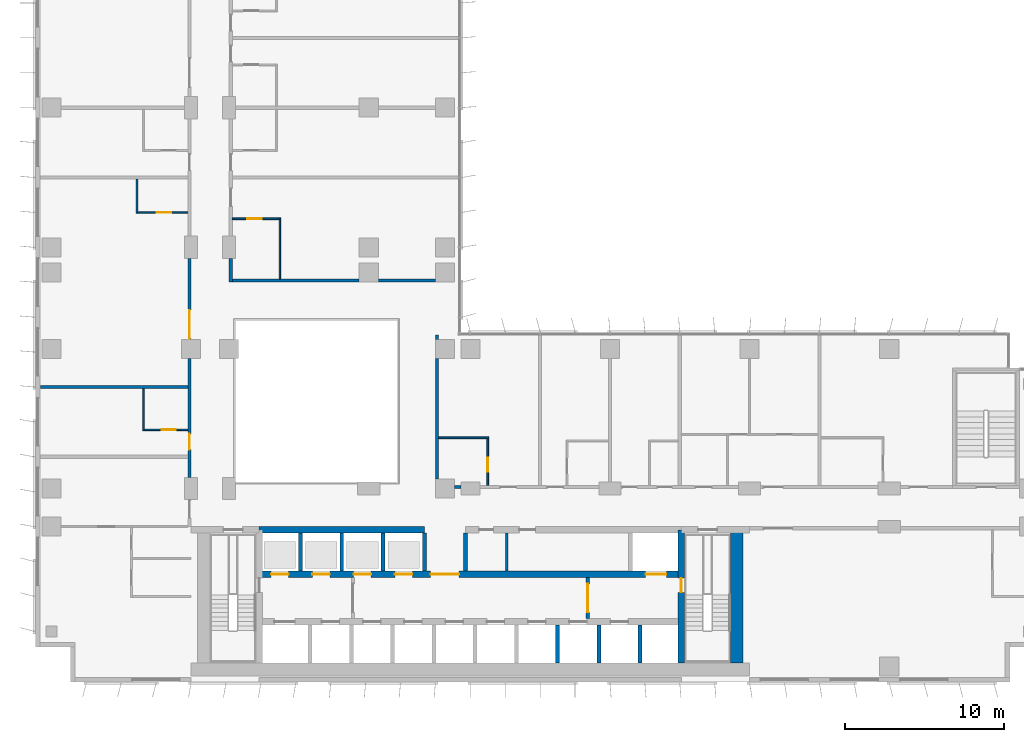
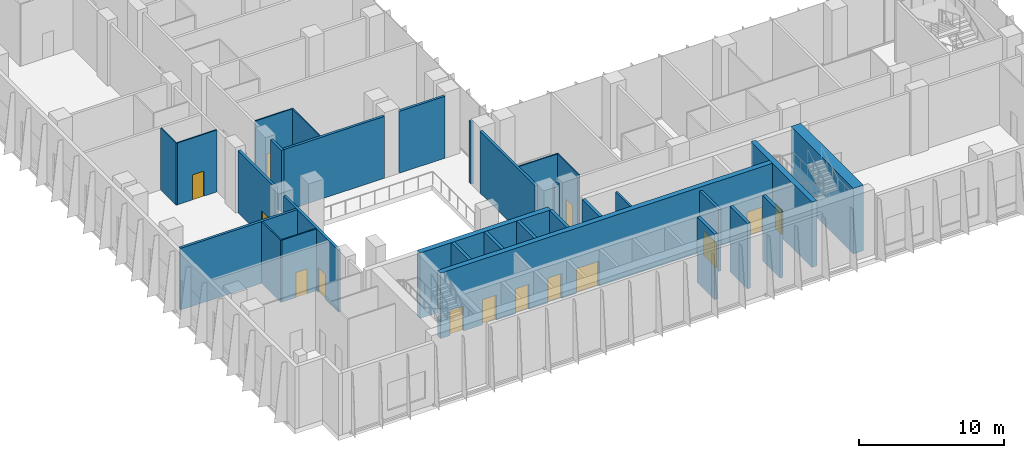
# One storey, part 13 of 26: 31 walls, 14 doors, 14 openings.
"""IFC4 building model written with IfcOpenShell, lengths in metres."""

from ifc_helpers import new_model, si_unit, direction, frame, frame_2d, origin, place, context, subcontext, project, spatial, rectangle, extrude, material, layer, layer_set, type_object, element, fill, save


model = new_model("IFC4")

# Units and contexts
model_context = context("Model", 3, precision=1e-05, world=origin(), true_north=direction((0.0, 1.0)))
body_context = subcontext(model_context, "Body", "Model", "MODEL_VIEW")
ifc_project = project(units=[si_unit("LENGTHUNIT", "METRE"), si_unit("AREAUNIT", "SQUARE_METRE"), si_unit("VOLUMEUNIT", "CUBIC_METRE"), si_unit("PLANEANGLEUNIT", "RADIAN"), si_unit("MASSUNIT", "GRAM", prefix="KILO")], contexts=[model_context])

# Site, building, storey
site_placement = place(None, origin())
site = spatial("IfcSite", under=ifc_project, at=site_placement, CompositionType="ELEMENT")
building_placement = place(site_placement, origin())
building = spatial("IfcBuilding", under=site, at=building_placement, Name="Kemantara Hotel Tower", CompositionType="ELEMENT")
storey_placement = place(building_placement, frame((0.0, 0.0, 101.89990234375)))
storey = spatial("IfcBuildingStorey", under=building, at=storey_placement, Name="L24", CompositionType="ELEMENT", Elevation=101.89990234375)

# Walls
ifc_material_1 = material(Name="Concrete fc 70 MPa", Category="concrete")
ifc_layer_1 = layer(ifc_material_1, 0.25)
ifc_layer_set_1 = layer_set([ifc_layer_1], Name="Concrete fc 70 MPa")
wall_type_1 = type_object("IfcWallType", Name="CORE WALL 250 FC70", PredefinedType="SHEAR", material=ifc_layer_set_1)
for number, where, z_axis, x_axis, name in (
    (1, (32.89990234375, 1.199951171875, 0.0), (0.0, 0.0, 1.0), (0.0, 1.0, 0.0), "CORE WALL CW-DS32.9"),
    (2, (35.5, 1.199951171875, 0.0), (0.0, 0.0, 1.0), (0.0, 1.0, 0.0), "CORE WALL CW-DS35.5"),
    (3, (38.10009765625, 1.199951171875, 0.0), (0.0, 0.0, 1.0), (0.0, 1.0, 0.0), "CORE WALL CW-DS38.1"),
):
    element("IfcWall", number, at=place(storey_placement, frame(where, z_axis=z_axis, x_axis=x_axis)), inside=storey, type_object=wall_type_1, Name=name, PredefinedType="SHEAR", context=body_context, shape_type="SweptSolid", body=[
        extrude(rectangle(XDim=2.400146484375, YDim=0.25, at=frame_2d((1.2001953125, 0.0))), origin(), (0.0, 0.0, 1.0), 5.5),
    ])
for number, where, z_axis, x_axis, name in (
    (4, (16.699951171875, 7.0, 0.0), (0.0, 0.0, 1.0), (0.0, 1.0, 0.0), "CORE WALL CW-DN16.7"),
    (5, (19.300048828125, 7.0, 0.0), (0.0, 0.0, 1.0), (0.0, 1.0, 0.0), "CORE WALL CW-DN19.3"),
    (6, (21.89990234375, 7.0, 0.0), (0.0, 0.0, 1.0), (0.0, 1.0, 0.0), "CORE WALL CW-DN21.9"),
    (7, (24.5, 7.0, 0.0), (0.0, 0.0, 1.0), (0.0, 1.0, 0.0), "CORE WALL CW-DN24.5"),
    (8, (27.10009765625, 7.0, 0.0), (0.0, 0.0, 1.0), (0.0, 1.0, 0.0), "CORE WALL CW-DN27.1"),
):
    element("IfcWall", number, at=place(storey_placement, frame(where, z_axis=z_axis, x_axis=x_axis)), inside=storey, type_object=wall_type_1, Name=name, PredefinedType="SHEAR", context=body_context, shape_type="SweptSolid", body=[
        extrude(rectangle(XDim=2.39990234375, YDim=0.25, at=frame_2d((1.199951171875, 0.0))), origin(), (0.0, 0.0, 1.0), 5.5),
    ])
ifc_layer_2 = layer(ifc_material_1, 0.39990234375)
ifc_layer_set_2 = layer_set([ifc_layer_2], Name="Concrete fc 70 MPa")
wall_type_2 = type_object("IfcWallType", Name="CORE WALL 400 FC70", PredefinedType="SHEAR", material=ifc_layer_set_2)
wall_1_placement = place(storey_placement, frame((14.10009765625, 9.60009765625, 0.0), z_axis=(0.0, 0.0, 1.0), x_axis=(1.0, 0.0, 0.0)))
element("IfcWall", 9, at=wall_1_placement, inside=storey, type_object=wall_type_2, Name="CORE WALL CW-NN1", PredefinedType="SHEAR", context=body_context, shape_type="SweptSolid", body=[
    extrude(rectangle(XDim=10.39990234375, YDim=0.39990234375, at=frame_2d((5.199951171875, 0.0))), origin(), (0.0, 0.0, 1.0), 5.5),
])

# Wall, openings, doors
wall_2_placement = place(storey_placement, frame((14.10009765625, 6.800048828125, 0.0), z_axis=(0.0, 0.0, 1.0), x_axis=(1.0, 0.0, 0.0)))
wall_2 = element("IfcWall", 10, at=wall_2_placement, inside=storey, type_object=wall_type_2, Name="CORE WALL CW-L2", PredefinedType="SHEAR", context=body_context, shape_type="SweptSolid", body=[
    extrude(rectangle(XDim=26.599853515625, YDim=0.39990234375, at=frame_2d((13.2998046875, 0.0))), origin(), (0.0, 0.0, 1.0), 5.5),
])
opening_1_placement = place(wall_2_placement, frame((10.800048828125, 0.0, 0.0)))
opening_1 = element("IfcOpeningElement", 11, at=opening_1_placement, cuts=wall_2, Name="Opening C17-VL", PredefinedType="OPENING", context=body_context, shape_type="SweptSolid", body=[
    extrude(rectangle(XDim=1.800048828125, YDim=2.10009765625, at=frame_2d((0.89990234375, 1.050048828125))), frame((0.0, 0.2099609375, 0.0), z_axis=(0.0, -1.0, 0.0), x_axis=(1.0, 0.0, 0.0)), (0.0, 0.0, 1.0), 0.419921875),
])
opening_2_placement = place(wall_2_placement, frame((0.75, 0.0, 0.0)))
opening_2 = element("IfcOpeningElement", 12, at=opening_2_placement, cuts=wall_2, Name="Opening C17-LD-MR1", PredefinedType="OPENING", context=body_context, shape_type="SweptSolid", body=[
    extrude(rectangle(XDim=1.10009765625, YDim=2.10009765625, at=frame_2d((0.550048828125, 1.050048828125))), frame((0.0, 0.2099609375, 0.0), z_axis=(0.0, -1.0, 0.0), x_axis=(1.0, 0.0, 0.0)), (0.0, 0.0, 1.0), 0.419921875),
])
opening_3_placement = place(wall_2_placement, frame((3.35009765625, 0.0, 0.0)))
opening_3 = element("IfcOpeningElement", 13, at=opening_3_placement, cuts=wall_2, Name="Opening C17-LD-MR2", PredefinedType="OPENING", context=body_context, shape_type="SweptSolid", body=[
    extrude(rectangle(XDim=1.10009765625, YDim=2.10009765625, at=frame_2d((0.550048828125, 1.050048828125))), frame((0.0, 0.2099609375, 0.0), z_axis=(0.0, -1.0, 0.0), x_axis=(1.0, 0.0, 0.0)), (0.0, 0.0, 1.0), 0.419921875),
])
opening_4_placement = place(wall_2_placement, frame((5.949951171875, 0.0, 0.0)))
opening_4 = element("IfcOpeningElement", 14, at=opening_4_placement, cuts=wall_2, Name="Opening C17-LD-MR3", PredefinedType="OPENING", context=body_context, shape_type="SweptSolid", body=[
    extrude(rectangle(XDim=1.10009765625, YDim=2.10009765625, at=frame_2d((0.550048828125, 1.050048828125))), frame((0.0, 0.2099609375, 0.0), z_axis=(0.0, -1.0, 0.0), x_axis=(1.0, 0.0, 0.0)), (0.0, 0.0, 1.0), 0.419921875),
])
opening_5_placement = place(wall_2_placement, frame((8.550048828125, 0.0, 0.0)))
opening_5 = element("IfcOpeningElement", 15, at=opening_5_placement, cuts=wall_2, Name="Opening C17-LD-MR4", PredefinedType="OPENING", context=body_context, shape_type="SweptSolid", body=[
    extrude(rectangle(XDim=1.10009765625, YDim=2.10009765625, at=frame_2d((0.550048828125, 1.050048828125))), frame((0.0, 0.2099609375, 0.0), z_axis=(0.0, -1.0, 0.0), x_axis=(1.0, 0.0, 0.0)), (0.0, 0.0, 1.0), 0.419921875),
])
opening_6_placement = place(wall_2_placement, frame((24.35009765625, 0.0, 0.0)))
opening_6 = element("IfcOpeningElement", 16, at=opening_6_placement, cuts=wall_2, Name="Opening C17-LD-FF2", PredefinedType="OPENING", context=body_context, shape_type="SweptSolid", body=[
    extrude(rectangle(XDim=1.300048828125, YDim=2.10009765625, at=frame_2d((0.64990234375, 1.050048828125))), frame((0.0, 0.2099609375, 0.0), z_axis=(0.0, -1.0, 0.0), x_axis=(1.0, 0.0, 0.0)), (0.0, 0.0, 1.0), 0.419921875),
])
ifc_material_2 = material(Name="Steel fire door", Category="steel")
door_type_1 = type_object("IfcDoorType", Name="Fire door pair FD60 1800 x 2100", OperationType="DOUBLE_DOOR_SINGLE_SWING", PredefinedType="DOOR", material=ifc_material_2)
door_1_placement = place(opening_1_placement, frame((1.800048828125, 0.0, 0.0), z_axis=(0.0, 0.0, 1.0), x_axis=(-1.0, 0.0, 0.0)))
door_1 = element("IfcDoor", 17, at=door_1_placement, inside=storey, type_object=door_type_1, Name="Lift lobby entry door", OperationType="DOUBLE_DOOR_SINGLE_SWING", OverallHeight=2.10009765625, OverallWidth=1.800048828125, PredefinedType="DOOR", context=body_context, shape_type="SweptSolid", body=[
    extrude(rectangle(XDim=1.800048828125, YDim=2.10009765625, at=frame_2d((0.89990234375, 1.050048828125))), frame((0.0, 0.02490234375, 0.0), z_axis=(0.0, -1.0, 0.0), x_axis=(1.0, 0.0, 0.0)), (0.0, 0.0, 1.0), 0.050048828125),
])
fill(opening_1, door_1)
ifc_material_3 = material(Name="Stainless steel lift door", Category="steel")
door_type_2 = type_object("IfcDoorType", Name="Lift landing door 1100 x 2100 FD60", OperationType="DOUBLE_DOOR_SLIDING", PredefinedType="DOOR", material=ifc_material_3)
door_2_placement = place(opening_2_placement, origin())
door_2 = element("IfcDoor", 18, at=door_2_placement, inside=storey, type_object=door_type_2, Name="Lift MR1 landing door", OperationType="DOUBLE_DOOR_SLIDING", OverallHeight=2.10009765625, OverallWidth=1.10009765625, PredefinedType="DOOR", context=body_context, shape_type="SweptSolid", body=[
    extrude(rectangle(XDim=1.10009765625, YDim=2.10009765625, at=frame_2d((0.550048828125, 1.050048828125))), frame((0.0, 0.02490234375, 0.0), z_axis=(0.0, -1.0, 0.0), x_axis=(1.0, 0.0, 0.0)), (0.0, 0.0, 1.0), 0.050048828125),
])
fill(opening_2, door_2)
door_3_placement = place(opening_3_placement, origin())
door_3 = element("IfcDoor", 19, at=door_3_placement, inside=storey, type_object=door_type_2, Name="Lift MR2 landing door", OperationType="DOUBLE_DOOR_SLIDING", OverallHeight=2.10009765625, OverallWidth=1.10009765625, PredefinedType="DOOR", context=body_context, shape_type="SweptSolid", body=[
    extrude(rectangle(XDim=1.10009765625, YDim=2.10009765625, at=frame_2d((0.550048828125, 1.050048828125))), frame((0.0, 0.02490234375, 0.0), z_axis=(0.0, -1.0, 0.0), x_axis=(1.0, 0.0, 0.0)), (0.0, 0.0, 1.0), 0.050048828125),
])
fill(opening_3, door_3)
door_4_placement = place(opening_4_placement, origin())
door_4 = element("IfcDoor", 20, at=door_4_placement, inside=storey, type_object=door_type_2, Name="Lift MR3 landing door", OperationType="DOUBLE_DOOR_SLIDING", OverallHeight=2.10009765625, OverallWidth=1.10009765625, PredefinedType="DOOR", context=body_context, shape_type="SweptSolid", body=[
    extrude(rectangle(XDim=1.10009765625, YDim=2.10009765625, at=frame_2d((0.550048828125, 1.050048828125))), frame((0.0, 0.02490234375, 0.0), z_axis=(0.0, -1.0, 0.0), x_axis=(1.0, 0.0, 0.0)), (0.0, 0.0, 1.0), 0.050048828125),
])
fill(opening_4, door_4)
door_5_placement = place(opening_5_placement, origin())
door_5 = element("IfcDoor", 21, at=door_5_placement, inside=storey, type_object=door_type_2, Name="Lift MR4 landing door", OperationType="DOUBLE_DOOR_SLIDING", OverallHeight=2.10009765625, OverallWidth=1.10009765625, PredefinedType="DOOR", context=body_context, shape_type="SweptSolid", body=[
    extrude(rectangle(XDim=1.10009765625, YDim=2.10009765625, at=frame_2d((0.550048828125, 1.050048828125))), frame((0.0, 0.02490234375, 0.0), z_axis=(0.0, -1.0, 0.0), x_axis=(1.0, 0.0, 0.0)), (0.0, 0.0, 1.0), 0.050048828125),
])
fill(opening_5, door_5)
door_type_3 = type_object("IfcDoorType", Name="Lift landing door 1300 x 2100 FD90", OperationType="DOUBLE_DOOR_SLIDING", PredefinedType="DOOR", material=ifc_material_3)
door_6_placement = place(opening_6_placement, origin())
door_6 = element("IfcDoor", 22, at=door_6_placement, inside=storey, type_object=door_type_3, Name="Lift FF2 landing door", OperationType="DOUBLE_DOOR_SLIDING", OverallHeight=2.10009765625, OverallWidth=1.300048828125, PredefinedType="DOOR", context=body_context, shape_type="SweptSolid", body=[
    extrude(rectangle(XDim=1.300048828125, YDim=2.10009765625, at=frame_2d((0.64990234375, 1.050048828125))), frame((0.0, 0.02490234375, 0.0), z_axis=(0.0, -1.0, 0.0), x_axis=(1.0, 0.0, 0.0)), (0.0, 0.0, 1.0), 0.050048828125),
])
fill(opening_6, door_6)

# Wall, opening, door
wall_3_placement = place(storey_placement, frame((40.699951171875, 1.199951171875, 0.0), z_axis=(0.0, 0.0, 1.0), x_axis=(0.0, 1.0, 0.0)))
wall_3 = element("IfcWall", 23, at=wall_3_placement, inside=storey, type_object=wall_type_2, Name="CORE WALL CW-ST2W", PredefinedType="SHEAR", context=body_context, shape_type="SweptSolid", body=[
    extrude(rectangle(XDim=8.400146484375, YDim=0.39990234375, at=frame_2d((4.2001953125, 0.0))), origin(), (0.0, 0.0, 1.0), 5.5),
])
opening_7_placement = place(wall_3_placement, frame((4.449951171875, 0.0, 0.0)))
opening_7 = element("IfcOpeningElement", 24, at=opening_7_placement, cuts=wall_3, Name="Opening C17-ST2-F", PredefinedType="OPENING", context=body_context, shape_type="SweptSolid", body=[
    extrude(rectangle(XDim=0.89990234375, YDim=2.10009765625, at=frame_2d((0.449951171875, 1.050048828125))), frame((0.0, 0.2099609375, 0.0), z_axis=(0.0, -1.0, 0.0), x_axis=(1.0, 0.0, 0.0)), (0.0, 0.0, 1.0), 0.419921875),
])
door_type_4 = type_object("IfcDoorType", Name="Fire door FD90 900 x 2100", OperationType="NOTDEFINED", PredefinedType="DOOR", material=ifc_material_2)
door_7_placement = place(opening_7_placement, frame((0.89990234375, 0.0, 0.0), z_axis=(0.0, 0.0, 1.0), x_axis=(-1.0, 0.0, 0.0)))
door_7 = element("IfcDoor", 25, at=door_7_placement, inside=storey, type_object=door_type_4, Name="Stair ST2 door to firefighting lobby", OperationType="SINGLE_SWING_LEFT", OverallHeight=2.10009765625, OverallWidth=0.89990234375, PredefinedType="DOOR", context=body_context, shape_type="SweptSolid", body=[
    extrude(rectangle(XDim=0.89990234375, YDim=2.10009765625, at=frame_2d((0.449951171875, 1.050048828125))), frame((0.0, 0.02490234375, 0.0), z_axis=(0.0, -1.0, 0.0), x_axis=(1.0, 0.0, 0.0)), (0.0, 0.0, 1.0), 0.050048828125),
])
fill(opening_7, door_7)

# Walls
ifc_layer_3 = layer(ifc_material_1, 0.800048828125)
ifc_layer_set_3 = layer_set([ifc_layer_3], Name="Concrete fc 70 MPa")
wall_type_3 = type_object("IfcWallType", Name="CORE WALL 800 FC70", PredefinedType="SHEAR", material=ifc_layer_set_3)
wall_4_placement = place(storey_placement, frame((44.199951171875, 1.199951171875, 0.0), z_axis=(0.0, 0.0, 1.0), x_axis=(0.0, 1.0, 0.0)))
element("IfcWall", 26, at=wall_4_placement, inside=storey, type_object=wall_type_3, Name="CORE WALL CW-E", PredefinedType="SHEAR", context=body_context, shape_type="SweptSolid", body=[
    extrude(rectangle(XDim=8.60009765625, YDim=0.800048828125, at=frame_2d((4.300048828125, 0.0))), origin(), (0.0, 0.0, 1.0), 5.5),
])
ifc_material_4 = material(Name="Gypsum board partition, steel studs and mineral wool, 200 mm", Category="steel")
ifc_layer_4 = layer(ifc_material_4, 0.199951171875)
ifc_layer_set_4 = layer_set([ifc_layer_4], Name="Gypsum board partition, steel studs and mineral wool, 200 mm")
wall_type_4 = type_object("IfcWallType", Name="CORRIDOR WALL 200", PredefinedType="PARTITIONING", material=ifc_layer_set_4)
wall_5_placement = place(storey_placement, frame((26.400146484375, 12.300048828125, 0.0), z_axis=(0.0, 0.0, 1.0), x_axis=(1.0, 0.0, 0.0)))
element("IfcWall", 27, at=wall_5_placement, inside=storey, type_object=wall_type_4, Name="CORRIDOR WALL 200 003", PredefinedType="PARTITIONING", context=body_context, shape_type="SweptSolid", body=[
    extrude(rectangle(XDim=0.399658203125, YDim=0.199951171875, at=frame_2d((0.19970703125, 0.0))), origin(), (0.0, 0.0, 1.0), 5.2001953125),
])

# Wall, opening, door
wall_6_placement = place(storey_placement, frame((9.699951171875, 12.900146484375, 0.0), z_axis=(0.0, 0.0, 1.0), x_axis=(0.0, 1.0, 0.0)))
wall_6 = element("IfcWall", 28, at=wall_6_placement, inside=storey, type_object=wall_type_4, Name="CORRIDOR WALL 200 015", PredefinedType="PARTITIONING", context=body_context, shape_type="SweptSolid", body=[
    extrude(rectangle(XDim=7.499755859375, YDim=0.199951171875, at=frame_2d((3.75, 0.0))), origin(), (0.0, 0.0, 1.0), 5.2001953125),
])
opening_8_placement = place(wall_6_placement, frame((1.75, 0.0, 0.0)))
opening_8 = element("IfcOpeningElement", 29, at=opening_8_placement, cuts=wall_6, Name="Opening F10-019", PredefinedType="OPENING", context=body_context, shape_type="SweptSolid", body=[
    extrude(rectangle(XDim=1.0, YDim=2.10009765625, at=frame_2d((0.5, 1.050048828125))), frame((0.0, 0.10986328125, 0.0), z_axis=(0.0, -1.0, 0.0), x_axis=(1.0, 0.0, 0.0)), (0.0, 0.0, 1.0), 0.219970703125),
])
ifc_material_5 = material(Name="Hardwood veneer door leaf with steel frame", Category="steel")
door_type_5 = type_object("IfcDoorType", Name="GUEST ROOM DOOR 1000 X 2100 FD30S", OperationType="NOTDEFINED", PredefinedType="DOOR", material=ifc_material_5)
door_8_placement = place(opening_8_placement, origin())
door_8 = element("IfcDoor", 30, at=door_8_placement, inside=storey, type_object=door_type_5, Name="GUEST ROOM DOOR F10-019", OperationType="SINGLE_SWING_LEFT", OverallHeight=2.10009765625, OverallWidth=1.0, PredefinedType="DOOR", context=body_context, shape_type="SweptSolid", body=[
    extrude(rectangle(XDim=1.0, YDim=2.10009765625, at=frame_2d((0.5, 1.050048828125))), frame((0.0, 0.02490234375, 0.0), z_axis=(0.0, -1.0, 0.0), x_axis=(1.0, 0.0, 0.0)), (0.0, 0.0, 1.0), 0.050048828125),
])
fill(opening_8, door_8)

wall_7_placement = place(storey_placement, frame((9.699951171875, 21.60009765625, 0.0), z_axis=(0.0, 0.0, 1.0), x_axis=(0.0, 1.0, 0.0)))
wall_7 = element("IfcWall", 31, at=wall_7_placement, inside=storey, type_object=wall_type_4, Name="CORRIDOR WALL 200 016", PredefinedType="PARTITIONING", context=body_context, shape_type="SweptSolid", body=[
    extrude(rectangle(XDim=5.099853515625, YDim=0.199951171875, at=frame_2d((2.5498046875, 0.0))), origin(), (0.0, 0.0, 1.0), 5.2001953125),
])
opening_9_placement = place(wall_7_placement, frame((0.0498046875, 0.0, 0.0)))
opening_9 = element("IfcOpeningElement", 32, at=opening_9_placement, cuts=wall_7, Name="Opening F10-021", PredefinedType="OPENING", context=body_context, shape_type="SweptSolid", body=[
    extrude(rectangle(XDim=1.800048828125, YDim=2.10009765625, at=frame_2d((0.89990234375, 1.050048828125))), frame((0.0, 0.10986328125, 0.0), z_axis=(0.0, -1.0, 0.0), x_axis=(1.0, 0.0, 0.0)), (0.0, 0.0, 1.0), 0.219970703125),
])
door_type_6 = type_object("IfcDoorType", Name="GUEST ROOM DOOR 1800 X 2100 FD30S", OperationType="NOTDEFINED", PredefinedType="DOOR", material=ifc_material_5)
door_9_placement = place(opening_9_placement, origin())
door_9 = element("IfcDoor", 33, at=door_9_placement, inside=storey, type_object=door_type_6, Name="GUEST ROOM DOOR F10-021", OperationType="DOUBLE_DOOR_SINGLE_SWING", OverallHeight=2.10009765625, OverallWidth=1.800048828125, PredefinedType="DOOR", context=body_context, shape_type="SweptSolid", body=[
    extrude(rectangle(XDim=1.800048828125, YDim=2.10009765625, at=frame_2d((0.89990234375, 1.050048828125))), frame((0.0, 0.02490234375, 0.0), z_axis=(0.0, -1.0, 0.0), x_axis=(1.0, 0.0, 0.0)), (0.0, 0.0, 1.0), 0.050048828125),
])
fill(opening_9, door_9)

# Walls
wall_8_placement = place(storey_placement, frame((12.300048828125, 25.199951171875, 0.0), z_axis=(0.0, 0.0, 1.0), x_axis=(0.0, 1.0, 0.0)))
element("IfcWall", 34, at=wall_8_placement, inside=storey, type_object=wall_type_4, Name="CORRIDOR WALL 200 031", PredefinedType="PARTITIONING", context=body_context, shape_type="SweptSolid", body=[
    extrude(rectangle(XDim=1.5, YDim=0.199951171875, at=frame_2d((0.75, 0.0))), origin(), (0.0, 0.0, 1.0), 5.2001953125),
])
ifc_layer_5 = layer(ifc_material_4, 0.199951171875)
ifc_layer_set_5 = layer_set([ifc_layer_5], Name="Gypsum board partition, steel studs and mineral wool, 200 mm")
wall_type_5 = type_object("IfcWallType", Name="GUEST ROOM PARTY WALL 200", PredefinedType="PARTITIONING", material=ifc_layer_set_5)
wall_9_placement = place(storey_placement, frame((25.300048828125, 12.800048828125, 0.0), z_axis=(0.0, 0.0, 1.0), x_axis=(0.0, 1.0, 0.0)))
element("IfcWall", 35, at=wall_9_placement, inside=storey, type_object=wall_type_5, Name="GUEST ROOM PARTY WALL 200 008", PredefinedType="PARTITIONING", context=body_context, shape_type="SweptSolid", body=[
    extrude(rectangle(XDim=7.599853515625, YDim=0.199951171875, at=frame_2d((3.7998046875, 0.0))), origin(), (0.0, 0.0, 1.0), 5.2001953125),
])
wall_10_placement = place(storey_placement, frame((25.300048828125, 21.60009765625, 0.0), z_axis=(0.0, 0.0, 1.0), x_axis=(0.0, 1.0, 0.0)))
element("IfcWall", 36, at=wall_10_placement, inside=storey, type_object=wall_type_5, Name="GUEST ROOM PARTY WALL 200 009", PredefinedType="PARTITIONING", context=body_context, shape_type="SweptSolid", body=[
    extrude(rectangle(XDim=0.27001953125, YDim=0.199951171875, at=frame_2d((0.135009765625, 0.0))), origin(), (0.0, 0.0, 1.0), 5.2001953125),
])
wall_11_placement = place(storey_placement, frame((0.31005859375, 18.60009765625, 0.0), z_axis=(0.0, 0.0, 1.0), x_axis=(1.0, 0.0, 0.0)))
element("IfcWall", 37, at=wall_11_placement, inside=storey, type_object=wall_type_5, Name="GUEST ROOM PARTY WALL 200 024", PredefinedType="PARTITIONING", context=body_context, shape_type="SweptSolid", body=[
    extrude(rectangle(XDim=9.2900390625, YDim=0.199951171875, at=frame_2d((4.64501953125, 0.0))), origin(), (0.0, 0.0, 1.0), 5.2001953125),
])
wall_12_placement = place(storey_placement, frame((12.39990234375, 25.300048828125, 0.0), z_axis=(0.0, 0.0, 1.0), x_axis=(1.0, 0.0, 0.0)))
element("IfcWall", 38, at=wall_12_placement, inside=storey, type_object=wall_type_5, Name="GUEST ROOM PARTY WALL 200 038", PredefinedType="PARTITIONING", context=body_context, shape_type="SweptSolid", body=[
    extrude(rectangle(XDim=8.0, YDim=0.199951171875, at=frame_2d((4.0, 0.0))), origin(), (0.0, 0.0, 1.0), 5.2001953125),
])
wall_13_placement = place(storey_placement, frame((21.60009765625, 25.300048828125, 0.0), z_axis=(0.0, 0.0, 1.0), x_axis=(1.0, 0.0, 0.0)))
element("IfcWall", 39, at=wall_13_placement, inside=storey, type_object=wall_type_5, Name="GUEST ROOM PARTY WALL 200 039", PredefinedType="PARTITIONING", context=body_context, shape_type="SweptSolid", body=[
    extrude(rectangle(XDim=3.599853515625, YDim=0.199951171875, at=frame_2d((1.7998046875, 0.0))), origin(), (0.0, 0.0, 1.0), 5.2001953125),
])
ifc_material_6 = material(Name="Gypsum board partition")
ifc_layer_6 = layer(ifc_material_6, 0.14990234375)
ifc_layer_set_6 = layer_set([ifc_layer_6], Name="Gypsum board partition")
wall_type_6 = type_object("IfcWallType", Name="Gypsum board partition 150 mm", PredefinedType="PARTITIONING", material=ifc_layer_set_6)
wall_14_placement = place(storey_placement, frame((29.699951171875, 7.0, 0.0), z_axis=(0.0, 0.0, 1.0), x_axis=(0.0, 1.0, 0.0)))
element("IfcWall", 40, at=wall_14_placement, inside=storey, type_object=wall_type_6, Name="Core room partition", PredefinedType="PARTITIONING", context=body_context, shape_type="SweptSolid", body=[
    extrude(rectangle(XDim=2.39990234375, YDim=0.14990234375, at=frame_2d((1.199951171875, 0.0))), origin(), (0.0, 0.0, 1.0), 5.2001953125),
])

# Wall, opening, door
ifc_material_7 = material(Name="Gypsum board shaft wall")
ifc_layer_7 = layer(ifc_material_7, 0.199951171875)
ifc_layer_set_7 = layer_set([ifc_layer_7], Name="Gypsum board shaft wall")
wall_type_7 = type_object("IfcWallType", Name="Gypsum board shaft wall 200 mm", PredefinedType="PARTITIONING", material=ifc_layer_set_7)
wall_15_placement = place(storey_placement, frame((34.800048828125, 4.0, 0.0), z_axis=(0.0, 0.0, 1.0), x_axis=(0.0, 1.0, 0.0)))
wall_15 = element("IfcWall", 41, at=wall_15_placement, inside=storey, type_object=wall_type_7, Name="Firefighting lobby partition east", PredefinedType="PARTITIONING", context=body_context, shape_type="SweptSolid", body=[
    extrude(rectangle(XDim=2.60009765625, YDim=0.199951171875, at=frame_2d((1.300048828125, 0.0))), origin(), (0.0, 0.0, 1.0), 5.2001953125),
])
opening_10_placement = place(wall_15_placement, frame((0.39990234375, 0.0, 0.0)))
opening_10 = element("IfcOpeningElement", 42, at=opening_10_placement, cuts=wall_15, Name="Opening C17-FFE", PredefinedType="OPENING", context=body_context, shape_type="SweptSolid", body=[
    extrude(rectangle(XDim=1.800048828125, YDim=2.10009765625, at=frame_2d((0.89990234375, 1.050048828125))), frame((0.0, 0.10986328125, 0.0), z_axis=(0.0, -1.0, 0.0), x_axis=(1.0, 0.0, 0.0)), (0.0, 0.0, 1.0), 0.219970703125),
])
door_10_placement = place(opening_10_placement, frame((1.800048828125, 0.0, 0.0), z_axis=(0.0, 0.0, 1.0), x_axis=(-1.0, 0.0, 0.0)))
door_10 = element("IfcDoor", 43, at=door_10_placement, inside=storey, type_object=door_type_1, Name="Firefighting lobby door east", OperationType="DOUBLE_DOOR_SINGLE_SWING", OverallHeight=2.10009765625, OverallWidth=1.800048828125, PredefinedType="DOOR", context=body_context, shape_type="SweptSolid", body=[
    extrude(rectangle(XDim=1.800048828125, YDim=2.10009765625, at=frame_2d((0.89990234375, 1.050048828125))), frame((0.0, 0.02490234375, 0.0), z_axis=(0.0, -1.0, 0.0), x_axis=(1.0, 0.0, 0.0)), (0.0, 0.0, 1.0), 0.050048828125),
])
fill(opening_10, door_10)

# Wall
ifc_material_8 = material(Name="Gypsum board partition on steel studs, 100 mm", Category="steel")
ifc_layer_8 = layer(ifc_material_8, 0.10009765625)
ifc_layer_set_8 = layer_set([ifc_layer_8], Name="Gypsum board partition on steel studs, 100 mm")
wall_type_8 = type_object("IfcWallType", Name="ROOM PARTITION 100", PredefinedType="PARTITIONING", material=ifc_layer_set_8)
wall_16_placement = place(storey_placement, frame((25.39990234375, 15.39990234375, 0.0), z_axis=(0.0, 0.0, 1.0), x_axis=(1.0, 0.0, 0.0)))
element("IfcWall", 44, at=wall_16_placement, inside=storey, type_object=wall_type_8, Name="ROOM PARTITION 100 052", PredefinedType="PARTITIONING", context=body_context, shape_type="SweptSolid", body=[
    extrude(rectangle(XDim=3.150146484375, YDim=0.10009765625, at=frame_2d((1.5751953125, 0.0))), origin(), (0.0, 0.0, 1.0), 5.2001953125),
])

# Wall, opening, door
wall_17_placement = place(storey_placement, frame((28.5, 12.39990234375, 0.0), z_axis=(0.0, 0.0, 1.0), x_axis=(0.0, 1.0, 0.0)))
wall_17 = element("IfcWall", 45, at=wall_17_placement, inside=storey, type_object=wall_type_8, Name="ROOM PARTITION 100 054", PredefinedType="PARTITIONING", context=body_context, shape_type="SweptSolid", body=[
    extrude(rectangle(XDim=2.9501953125, YDim=0.10009765625, at=frame_2d((1.47509765625, 0.0))), origin(), (0.0, 0.0, 1.0), 5.2001953125),
])
opening_11_placement = place(wall_17_placement, frame((0.85009765625, 0.0, 0.0)))
opening_11 = element("IfcOpeningElement", 46, at=opening_11_placement, cuts=wall_17, Name="Opening F10-004", PredefinedType="OPENING", context=body_context, shape_type="SweptSolid", body=[
    extrude(rectangle(XDim=0.89990234375, YDim=2.10009765625, at=frame_2d((0.449951171875, 1.050048828125))), frame((0.0, 0.06005859375, 0.0), z_axis=(0.0, -1.0, 0.0), x_axis=(1.0, 0.0, 0.0)), (0.0, 0.0, 1.0), 0.1201171875),
])
door_type_7 = type_object("IfcDoorType", Name="BATHROOM DOOR 900 X 2100", OperationType="NOTDEFINED", PredefinedType="DOOR", material=ifc_material_5)
door_11_placement = place(opening_11_placement, origin())
door_11 = element("IfcDoor", 47, at=door_11_placement, inside=storey, type_object=door_type_7, Name="BATHROOM DOOR F10-004", OperationType="SINGLE_SWING_LEFT", OverallHeight=2.10009765625, OverallWidth=0.89990234375, PredefinedType="DOOR", context=body_context, shape_type="SweptSolid", body=[
    extrude(rectangle(XDim=0.89990234375, YDim=2.10009765625, at=frame_2d((0.449951171875, 1.050048828125))), frame((0.0, 0.02490234375, 0.0), z_axis=(0.0, -1.0, 0.0), x_axis=(1.0, 0.0, 0.0)), (0.0, 0.0, 1.0), 0.050048828125),
])
fill(opening_11, door_11)

# Wall
wall_18_placement = place(storey_placement, frame((6.800048828125, 15.85009765625, 0.0), z_axis=(0.0, 0.0, 1.0), x_axis=(0.0, 1.0, 0.0)))
element("IfcWall", 48, at=wall_18_placement, inside=storey, type_object=wall_type_8, Name="ROOM PARTITION 100 067", PredefinedType="PARTITIONING", context=body_context, shape_type="SweptSolid", body=[
    extrude(rectangle(XDim=2.64990234375, YDim=0.10009765625, at=frame_2d((1.324951171875, 0.0))), origin(), (0.0, 0.0, 1.0), 5.2001953125),
])

# Wall, opening, door
wall_19_placement = place(storey_placement, frame((6.85009765625, 15.89990234375, 0.0), z_axis=(0.0, 0.0, 1.0), x_axis=(1.0, 0.0, 0.0)))
wall_19 = element("IfcWall", 49, at=wall_19_placement, inside=storey, type_object=wall_type_8, Name="ROOM PARTITION 100 070", PredefinedType="PARTITIONING", context=body_context, shape_type="SweptSolid", body=[
    extrude(rectangle(XDim=2.75, YDim=0.10009765625, at=frame_2d((1.375, 0.0))), origin(), (0.0, 0.0, 1.0), 5.2001953125),
])
opening_12_placement = place(wall_19_placement, frame((1.10009765625, 0.0, 0.0)))
opening_12 = element("IfcOpeningElement", 50, at=opening_12_placement, cuts=wall_19, Name="Opening F10-020", PredefinedType="OPENING", context=body_context, shape_type="SweptSolid", body=[
    extrude(rectangle(XDim=0.89990234375, YDim=2.10009765625, at=frame_2d((0.449951171875, 1.050048828125))), frame((0.0, 0.06005859375, 0.0), z_axis=(0.0, -1.0, 0.0), x_axis=(1.0, 0.0, 0.0)), (0.0, 0.0, 1.0), 0.1201171875),
])
door_12_placement = place(opening_12_placement, origin())
door_12 = element("IfcDoor", 51, at=door_12_placement, inside=storey, type_object=door_type_7, Name="BATHROOM DOOR F10-020", OperationType="SINGLE_SWING_RIGHT", OverallHeight=2.10009765625, OverallWidth=0.89990234375, PredefinedType="DOOR", context=body_context, shape_type="SweptSolid", body=[
    extrude(rectangle(XDim=0.89990234375, YDim=2.10009765625, at=frame_2d((0.449951171875, 1.050048828125))), frame((0.0, 0.02490234375, 0.0), z_axis=(0.0, -1.0, 0.0), x_axis=(1.0, 0.0, 0.0)), (0.0, 0.0, 1.0), 0.050048828125),
])
fill(opening_12, door_12)

# Wall
wall_20_placement = place(storey_placement, frame((6.39990234375, 29.550048828125, 0.0), z_axis=(0.0, 0.0, 1.0), x_axis=(0.0, 1.0, 0.0)))
element("IfcWall", 52, at=wall_20_placement, inside=storey, type_object=wall_type_8, Name="ROOM PARTITION 100 071", PredefinedType="PARTITIONING", context=body_context, shape_type="SweptSolid", body=[
    extrude(rectangle(XDim=2.14990234375, YDim=0.10009765625, at=frame_2d((1.074951171875, 0.0))), origin(), (0.0, 0.0, 1.0), 5.2001953125),
])

# Wall, opening, door
wall_21_placement = place(storey_placement, frame((6.449951171875, 29.60009765625, 0.0), z_axis=(0.0, 0.0, 1.0), x_axis=(1.0, 0.0, 0.0)))
wall_21 = element("IfcWall", 53, at=wall_21_placement, inside=storey, type_object=wall_type_8, Name="ROOM PARTITION 100 072", PredefinedType="PARTITIONING", context=body_context, shape_type="SweptSolid", body=[
    extrude(rectangle(XDim=3.150146484375, YDim=0.10009765625, at=frame_2d((1.5751953125, 0.0))), origin(), (0.0, 0.0, 1.0), 5.2001953125),
])
opening_13_placement = place(wall_21_placement, frame((1.199951171875, 0.0, 0.0)))
opening_13 = element("IfcOpeningElement", 54, at=opening_13_placement, cuts=wall_21, Name="Opening F10-022", PredefinedType="OPENING", context=body_context, shape_type="SweptSolid", body=[
    extrude(rectangle(XDim=0.89990234375, YDim=2.10009765625, at=frame_2d((0.449951171875, 1.050048828125))), frame((0.0, 0.06005859375, 0.0), z_axis=(0.0, -1.0, 0.0), x_axis=(1.0, 0.0, 0.0)), (0.0, 0.0, 1.0), 0.1201171875),
])
door_type_8 = type_object("IfcDoorType", Name="PANTRY DOOR 900 X 2100", OperationType="NOTDEFINED", PredefinedType="DOOR", material=ifc_material_5)
door_13_placement = place(opening_13_placement, origin())
door_13 = element("IfcDoor", 55, at=door_13_placement, inside=storey, type_object=door_type_8, Name="PANTRY DOOR F10-022", OperationType="SINGLE_SWING_RIGHT", OverallHeight=2.10009765625, OverallWidth=0.89990234375, PredefinedType="DOOR", context=body_context, shape_type="SweptSolid", body=[
    extrude(rectangle(XDim=0.89990234375, YDim=2.10009765625, at=frame_2d((0.449951171875, 1.050048828125))), frame((0.0, 0.02490234375, 0.0), z_axis=(0.0, -1.0, 0.0), x_axis=(1.0, 0.0, 0.0)), (0.0, 0.0, 1.0), 0.050048828125),
])
fill(opening_13, door_13)

# Wall
wall_22_placement = place(storey_placement, frame((15.39990234375, 25.39990234375, 0.0), z_axis=(0.0, 0.0, 1.0), x_axis=(0.0, 1.0, 0.0)))
element("IfcWall", 56, at=wall_22_placement, inside=storey, type_object=wall_type_8, Name="ROOM PARTITION 100 082", PredefinedType="PARTITIONING", context=body_context, shape_type="SweptSolid", body=[
    extrude(rectangle(XDim=3.85009765625, YDim=0.10009765625, at=frame_2d((1.925048828125, 0.0))), origin(), (0.0, 0.0, 1.0), 5.2001953125),
])

# Wall, opening, door
wall_23_placement = place(storey_placement, frame((15.35009765625, 29.199951171875, 0.0), z_axis=(0.0, 0.0, 1.0), x_axis=(-1.0, 0.0, 0.0)))
wall_23 = element("IfcWall", 57, at=wall_23_placement, inside=storey, type_object=wall_type_8, Name="ROOM PARTITION 100 083", PredefinedType="PARTITIONING", context=body_context, shape_type="SweptSolid", body=[
    extrude(rectangle(XDim=2.9501953125, YDim=0.10009765625, at=frame_2d((1.47509765625, 0.0))), origin(), (0.0, 0.0, 1.0), 5.2001953125),
])
opening_14_placement = place(wall_23_placement, frame((1.10009765625, 0.0, 0.0)))
opening_14 = element("IfcOpeningElement", 58, at=opening_14_placement, cuts=wall_23, Name="Opening F10-034", PredefinedType="OPENING", context=body_context, shape_type="SweptSolid", body=[
    extrude(rectangle(XDim=0.89990234375, YDim=2.10009765625, at=frame_2d((0.449951171875, 1.050048828125))), frame((0.0, 0.06005859375, 0.0), z_axis=(0.0, -1.0, 0.0), x_axis=(1.0, 0.0, 0.0)), (0.0, 0.0, 1.0), 0.1201171875),
])
door_14_placement = place(opening_14_placement, origin())
door_14 = element("IfcDoor", 59, at=door_14_placement, inside=storey, type_object=door_type_7, Name="BATHROOM DOOR F10-034", OperationType="SINGLE_SWING_RIGHT", OverallHeight=2.10009765625, OverallWidth=0.89990234375, PredefinedType="DOOR", context=body_context, shape_type="SweptSolid", body=[
    extrude(rectangle(XDim=0.89990234375, YDim=2.10009765625, at=frame_2d((0.449951171875, 1.050048828125))), frame((0.0, 0.02490234375, 0.0), z_axis=(0.0, -1.0, 0.0), x_axis=(1.0, 0.0, 0.0)), (0.0, 0.0, 1.0), 0.050048828125),
])
fill(opening_14, door_14)

save(model, "model.ifc")
